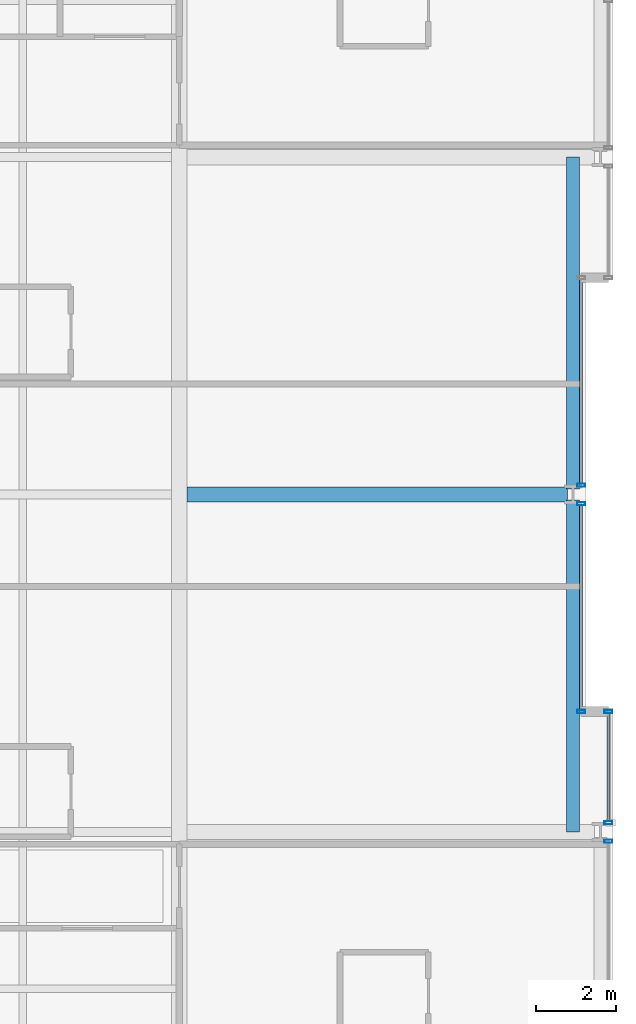
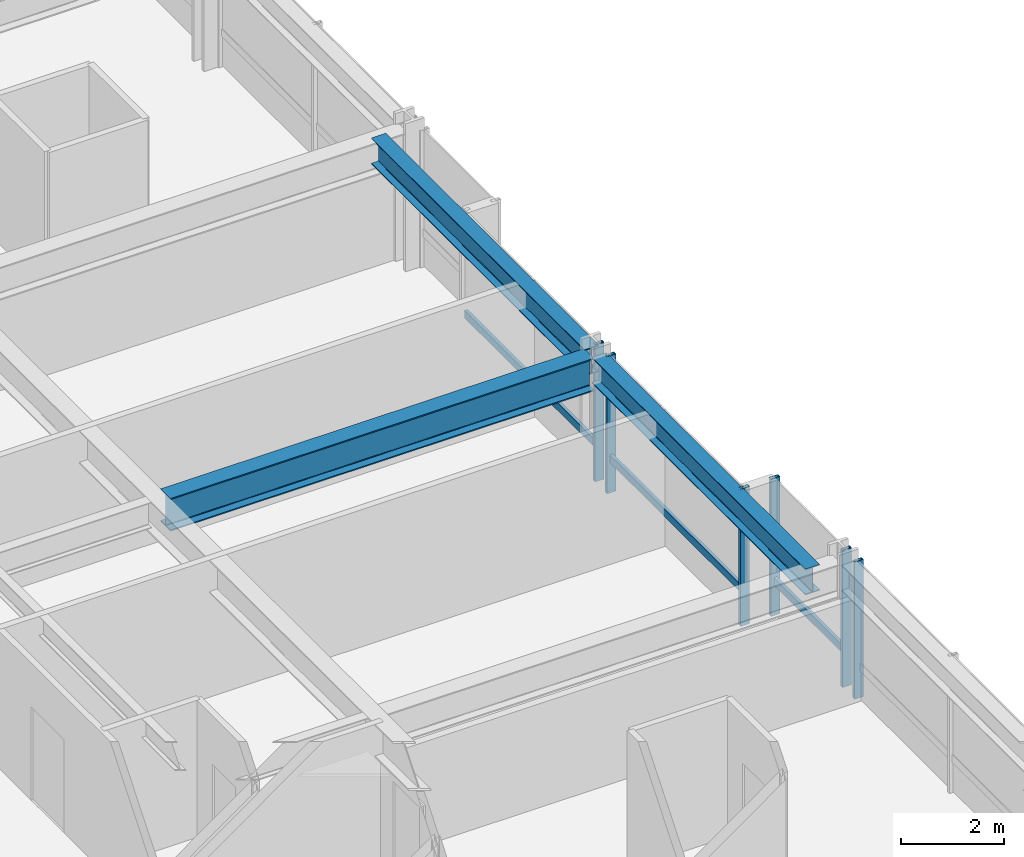
# One storey, part 16 of 38: 9 members, 3 beams, 4 elements without a shape of their own.
"""IFC4 building model written with IfcOpenShell, lengths in metres."""

from ifc_helpers import new_model, si_unit, direction, frame, origin, origin_2d, place, context, subcontext, project, spatial, hollow_rectangle, i_section, extrude, material, layer, layer_set, material_profile, profile_set, type_object, element, aggregate, save


model = new_model("IFC4")

# Units and contexts
model_context = context("Model", 3, precision=1e-05, world=origin(), true_north=direction((0.0, 1.0)))
body_context = subcontext(model_context, "Body", "Model", "MODEL_VIEW")
ifc_project = project(units=[si_unit("LENGTHUNIT", "METRE"), si_unit("AREAUNIT", "SQUARE_METRE"), si_unit("VOLUMEUNIT", "CUBIC_METRE"), si_unit("PLANEANGLEUNIT", "RADIAN"), si_unit("MASSUNIT", "GRAM", prefix="KILO")], contexts=[model_context])

# Site, building, storey
site_placement = place(None, origin())
site = spatial("IfcSite", under=ifc_project, at=site_placement, CompositionType="ELEMENT")
building_placement = place(site_placement, origin())
building = spatial("IfcBuilding", under=site, at=building_placement, Name="Drelvath Grand Hotel", CompositionType="ELEMENT")
storey_placement = place(building_placement, frame((0.0, 0.0, 61.199951171875)))
storey = spatial("IfcBuildingStorey", under=building, at=storey_placement, Name="L14", CompositionType="ELEMENT", Elevation=61.199951171875)

# Curtain wall, member
ifc_material_1 = material(Name="Warm Bronze Anodised Aluminium Frame", Category="aluminium")
ifc_layer = layer(ifc_material_1, 0.199951171875)
ifc_layer_set = layer_set([ifc_layer], Name="Warm Bronze Anodised Aluminium Frame")
curtain_wall_type = type_object("IfcCurtainWallType", Name="Stick Curtain Wall CW-02 Warm Bronze Low-Rise", PredefinedType="NOTDEFINED", material=ifc_layer_set)
curtain_wall_1_placement = place(storey_placement, origin())
curtain_wall_1 = element("IfcCurtainWall", 1, at=curtain_wall_1_placement, inside=storey, type_object=curtain_wall_type, Name="L14 CW-02 Curtain Wall CW02-L14-EM1", PredefinedType="NOTDEFINED")
ifc_material_profile_1 = material_profile(ifc_material_1, hollow_rectangle(XDim=0.074951171875, YDim=0.179931640625, WallThickness=0.0048828125, at=origin_2d()), Name="HSS180X75X5")
ifc_profile_set_1 = profile_set([ifc_material_profile_1], Name="Warm Bronze Anodised Aluminium Frame")
member_type_1 = type_object("IfcMemberType", Name="Curtain Wall Horizontal Transom CW-02 HSS180X75X5", PredefinedType="USERDEFINED", material=ifc_profile_set_1)
member_1_placement = place(storey_placement, frame((26.199951171875, 26.73095703125, 0.81005859375), z_axis=(0.0, -1.0, 0.0), x_axis=(1.0, 0.0, 0.0)))
member_1 = element("IfcMember", 2, at=member_1_placement, type_object=member_type_1, Name="CW02-L14-EM1 Sill Transom", ObjectType="TRANSOM", PredefinedType="USERDEFINED", context=body_context, shape_type="SweptSolid", body=[
    extrude(hollow_rectangle(XDim=0.074951171875, YDim=0.179931640625, WallThickness=0.0048828125, at=origin_2d()), origin(), (0.0, 0.0, 1.0), 5.091064453125),
])

curtain_wall_2_placement = place(storey_placement, origin())
curtain_wall_2 = element("IfcCurtainWall", 3, at=curtain_wall_2_placement, inside=storey, type_object=curtain_wall_type, Name="L14 CW-02 Curtain Wall CW02-L14-EM2", PredefinedType="NOTDEFINED")
member_2_placement = place(storey_placement, frame((26.199951171875, 32.360107421875, 0.81005859375), z_axis=(0.0, -1.0, 0.0), x_axis=(1.0, 0.0, 0.0)))
member_2 = element("IfcMember", 4, at=member_2_placement, type_object=member_type_1, Name="CW02-L14-EM2 Sill Transom", ObjectType="TRANSOM", PredefinedType="USERDEFINED", context=body_context, shape_type="SweptSolid", body=[
    extrude(hollow_rectangle(XDim=0.074951171875, YDim=0.179931640625, WallThickness=0.0048828125, at=origin_2d()), origin(), (0.0, 0.0, 1.0), 5.091064453125),
])

curtain_wall_3_placement = place(storey_placement, origin())
curtain_wall_3 = element("IfcCurtainWall", 5, at=curtain_wall_3_placement, inside=storey, type_object=curtain_wall_type, Name="L14 CW-02 Curtain Wall CW02-L14-ES3", PredefinedType="NOTDEFINED")
member_3_placement = place(storey_placement, frame((26.8798828125, 21.56005859375, 0.81005859375), z_axis=(0.0, -1.0, 0.0), x_axis=(1.0, 0.0, 0.0)))
member_3 = element("IfcMember", 6, at=member_3_placement, type_object=member_type_1, Name="CW02-L14-ES3 Sill Transom", ObjectType="TRANSOM", PredefinedType="USERDEFINED", context=body_context, shape_type="SweptSolid", body=[
    extrude(hollow_rectangle(XDim=0.074951171875, YDim=0.179931640625, WallThickness=0.0048828125, at=origin_2d()), origin(), (0.0, 0.0, 1.0), 2.69091796875),
])

# Member
ifc_material_profile_2 = material_profile(ifc_material_1, hollow_rectangle(XDim=0.080078125, YDim=0.199951171875, WallThickness=0.0048828125, at=origin_2d()), Name="HSS200X80X5")
ifc_profile_set_2 = profile_set([ifc_material_profile_2], Name="Warm Bronze Anodised Aluminium Frame")
member_type_2 = type_object("IfcMemberType", Name="Curtain Wall Vertical Mullion CW-02 HSS200X80X5", PredefinedType="MULLION", material=ifc_profile_set_2)
member_4_placement = place(storey_placement, frame((26.199951171875, 26.77099609375, 0.0), z_axis=(0.0, 0.0, 1.0), x_axis=(0.0, 1.0, 0.0)))
member_4 = element("IfcMember", 7, at=member_4_placement, type_object=member_type_2, Name="CW02-L14-EM1 Mullion 1", PredefinedType="MULLION", context=body_context, shape_type="SweptSolid", body=[
    extrude(hollow_rectangle(XDim=0.080078125, YDim=0.199951171875, WallThickness=0.0048828125, at=origin_2d()), origin(), (0.0, 0.0, 1.0), 3.239990234375),
])

member_5_placement = place(storey_placement, frame((26.199951171875, 21.60009765625, 0.0), z_axis=(0.0, 0.0, 1.0), x_axis=(0.0, 1.0, 0.0)))
member_5 = element("IfcMember", 8, at=member_5_placement, type_object=member_type_2, Name="CW02-L14-EM1 Mullion 2", PredefinedType="MULLION", context=body_context, shape_type="SweptSolid", body=[
    extrude(hollow_rectangle(XDim=0.080078125, YDim=0.199951171875, WallThickness=0.0048828125, at=origin_2d()), origin(), (0.0, 0.0, 1.0), 3.239990234375),
])

aggregate(curtain_wall_1, [member_4, member_5, member_1])

member_6_placement = place(storey_placement, frame((26.199951171875, 27.22900390625, 0.0), z_axis=(0.0, 0.0, 1.0), x_axis=(0.0, 1.0, 0.0)))
member_6 = element("IfcMember", 9, at=member_6_placement, type_object=member_type_2, Name="CW02-L14-EM2 Mullion 2", PredefinedType="MULLION", context=body_context, shape_type="SweptSolid", body=[
    extrude(hollow_rectangle(XDim=0.080078125, YDim=0.199951171875, WallThickness=0.0048828125, at=origin_2d()), origin(), (0.0, 0.0, 1.0), 3.239990234375),
])

aggregate(curtain_wall_2, [member_6, member_2])

# Curtain wall, member
curtain_wall_4_placement = place(storey_placement, origin())
curtain_wall_4 = element("IfcCurtainWall", 10, at=curtain_wall_4_placement, inside=storey, type_object=curtain_wall_type, Name="L14 CW-02 Curtain Wall CW02-L14-ES2", PredefinedType="NOTDEFINED")
member_7_placement = place(storey_placement, frame((26.8798828125, 18.370849609375, 0.0), z_axis=(0.0, 0.0, 1.0), x_axis=(0.0, 1.0, 0.0)))
member_7 = element("IfcMember", 11, at=member_7_placement, type_object=member_type_2, Name="CW02-L14-ES2 Mullion 1", PredefinedType="MULLION", context=body_context, shape_type="SweptSolid", body=[
    extrude(hollow_rectangle(XDim=0.080078125, YDim=0.199951171875, WallThickness=0.0048828125, at=origin_2d()), origin(), (0.0, 0.0, 1.0), 3.239990234375),
])
aggregate(curtain_wall_4, [member_7])

# Member
member_8_placement = place(storey_placement, frame((26.8798828125, 21.60009765625, 0.0), z_axis=(0.0, 0.0, 1.0), x_axis=(0.0, 1.0, 0.0)))
member_8 = element("IfcMember", 12, at=member_8_placement, type_object=member_type_2, Name="CW02-L14-ES3 Mullion 1", PredefinedType="MULLION", context=body_context, shape_type="SweptSolid", body=[
    extrude(hollow_rectangle(XDim=0.080078125, YDim=0.199951171875, WallThickness=0.0048828125, at=origin_2d()), origin(), (0.0, 0.0, 1.0), 3.239990234375),
])

member_9_placement = place(storey_placement, frame((26.8798828125, 18.8291015625, 0.0), z_axis=(0.0, 0.0, 1.0), x_axis=(0.0, 1.0, 0.0)))
member_9 = element("IfcMember", 13, at=member_9_placement, type_object=member_type_2, Name="CW02-L14-ES3 Mullion 2", PredefinedType="MULLION", context=body_context, shape_type="SweptSolid", body=[
    extrude(hollow_rectangle(XDim=0.080078125, YDim=0.199951171875, WallThickness=0.0048828125, at=origin_2d()), origin(), (0.0, 0.0, 1.0), 3.239990234375),
])

aggregate(curtain_wall_3, [member_8, member_9, member_3])

# Beams
ifc_material_2 = material(Name="Steel ASTM A992 Gr 50", Category="steel")
ifc_material_profile_3 = material_profile(ifc_material_2, i_section(OverallWidth=0.323974609375, OverallDepth=0.611083984375, WebThickness=0.0126953125, FlangeThickness=0.01904296875, FilletRadius=0.02197265625, at=origin_2d()), Name="W24X104")
ifc_profile_set_3 = profile_set([ifc_material_profile_3], Name="Steel ASTM A992 Gr 50")
beam_type_1 = type_object("IfcBeamType", Name="Perimeter Spandrel Beam W24X104", PredefinedType="SPANDREL", material=ifc_profile_set_3)
for number, where, z_axis, x_axis, name in (
    (14, (26.0, 18.60009765625, 2.9345703125), (0.0, 1.0, 0.0), (-1.0, 0.0, 0.0), "L14 Spandrel East Mid S"),
    (15, (26.0, 27.139892578125, 2.9345703125), (0.0, 1.0, 0.0), (-1.0, 0.0, 0.0), "L14 Spandrel East Mid N"),
):
    element("IfcBeam", number, at=place(storey_placement, frame(where, z_axis=z_axis, x_axis=x_axis)), inside=storey, type_object=beam_type_1, Name=name, PredefinedType="SPANDREL", context=body_context, shape_type="SweptSolid", body=[
        extrude(i_section(OverallWidth=0.323974609375, OverallDepth=0.611083984375, WebThickness=0.0126953125, FlangeThickness=0.01904296875, FilletRadius=0.02197265625, at=origin_2d()), origin(), (0.0, 0.0, 1.0), 8.260009765625),
    ])
ifc_material_profile_4 = material_profile(ifc_material_2, i_section(OverallWidth=0.380615234375, OverallDepth=0.773193359375, WebThickness=0.0166015625, FlangeThickness=0.027099609375, FilletRadius=0.02490234375, at=origin_2d()), Name="W30X173")
ifc_profile_set_4 = profile_set([ifc_material_profile_4], Name="Steel ASTM A992 Gr 50")
beam_type_2 = type_object("IfcBeamType", Name="Primary Floor Girder W30X173", PredefinedType="BEAM", material=ifc_profile_set_4)
beam_placement = place(storey_placement, frame((16.390380859375, 27.0, 2.853515625), z_axis=(1.0, 0.0, 0.0), x_axis=(0.0, 1.0, 0.0)))
element("IfcBeam", 16, at=beam_placement, inside=storey, type_object=beam_type_2, Name="L14 East Wing Girder E", PredefinedType="BEAM", context=body_context, shape_type="SweptSolid", body=[
    extrude(i_section(OverallWidth=0.380615234375, OverallDepth=0.773193359375, WebThickness=0.0166015625, FlangeThickness=0.027099609375, FilletRadius=0.02490234375, at=origin_2d()), origin(), (0.0, 0.0, 1.0), 9.4697265625),
])

save(model, "model.ifc")
